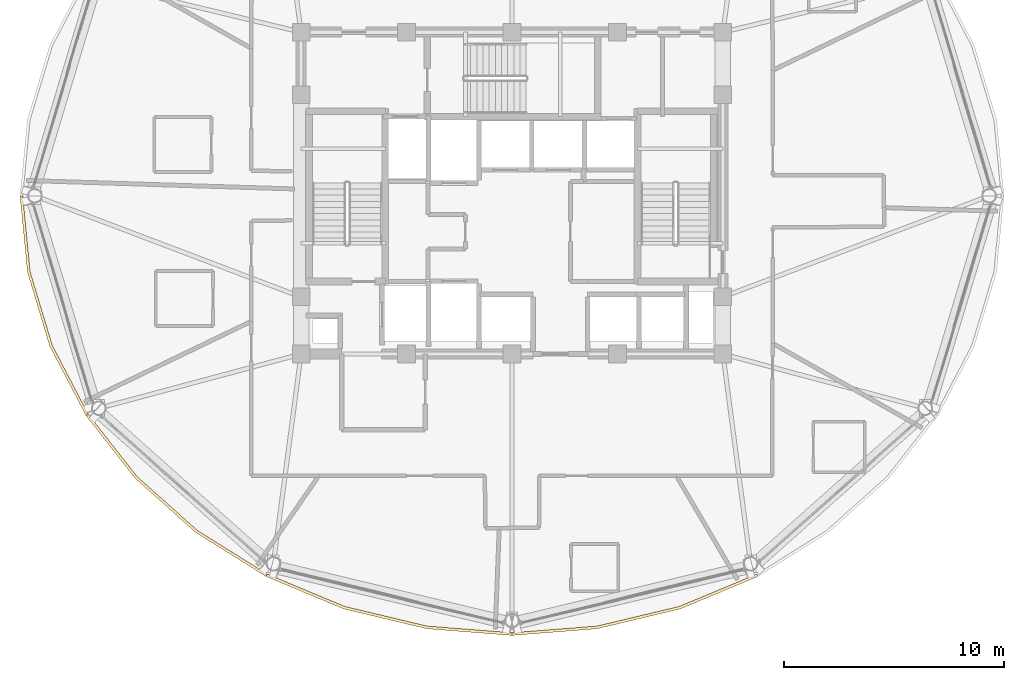
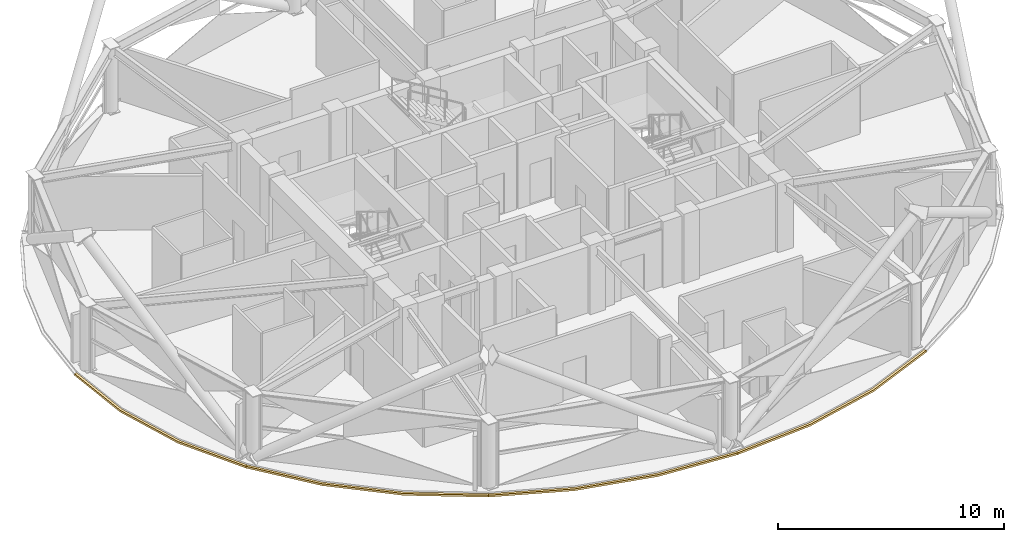
# One storey, part 26 of 29: 4 coverings.
"""IFC4 building model written with IfcOpenShell, lengths in metres."""

from ifc_helpers import new_model, si_unit, direction, frame, origin, place, context, subcontext, project, spatial, polyline, outline, extrude, material, layer, layer_set, type_object, element, save


model = new_model("IFC4")

# Units and contexts
model_context = context("Model", 3, precision=1e-05, world=origin(), true_north=direction((0.0, 1.0)))
body_context = subcontext(model_context, "Body", "Model", "MODEL_VIEW")
ifc_project = project(units=[si_unit("LENGTHUNIT", "METRE"), si_unit("AREAUNIT", "SQUARE_METRE"), si_unit("VOLUMEUNIT", "CUBIC_METRE"), si_unit("PLANEANGLEUNIT", "RADIAN"), si_unit("MASSUNIT", "GRAM", prefix="KILO")], contexts=[model_context])

# Site, building, storey
site_placement = place(None, origin())
site = spatial("IfcSite", under=ifc_project, at=site_placement, CompositionType="ELEMENT")
building_placement = place(site_placement, origin())
building = spatial("IfcBuilding", under=site, at=building_placement, Name="Vantalir Tower", CompositionType="ELEMENT")
storey_placement = place(building_placement, frame((0.0, 0.0, 234.89990234375)))
storey = spatial("IfcBuildingStorey", under=building, at=storey_placement, Name="L59", CompositionType="ELEMENT", Elevation=234.89990234375)

# Coverings
ifc_material = material(Name="Anodised champagne aluminium sill fascia", Category="aluminium")
ifc_layer = layer(ifc_material, 0.125)
ifc_layer_set = layer_set([ifc_layer], Name="Anodised champagne aluminium sill fascia")
covering_type = type_object("IfcCoveringType", Name="COV-SLAB-FASCIA-125", PredefinedType="CLADDING", material=ifc_layer_set)
covering_1_placement = place(storey_placement, frame((0.0, 0.0, -0.179931640625)))
element("IfcCovering", 1, at=covering_1_placement, inside=storey, type_object=covering_type, Name="L59 Perimeter Slab-Edge Sill Fascia 07", PredefinedType="CLADDING", context=body_context, shape_type="SweptSolid", body=[
    extrude(outline(polyline([(9.10693359375, 25.0), (9.447021484375, 21.52587890625), (10.45703125, 18.156982421875), (12.10693359375, 14.99609375), (12.215087890625, 15.05810546875), (10.574951171875, 18.199951171875), (9.570068359375, 21.547119140625), (9.23193359375, 25.0), (9.10693359375, 25.0)])), origin(), (0.0, 0.0, 1.0), 0.10498046875),
])
covering_2_placement = place(storey_placement, frame((0.0, 0.0, -0.179931640625)))
element("IfcCovering", 2, at=covering_2_placement, inside=storey, type_object=covering_type, Name="L59 Perimeter Slab-Edge Sill Fascia 08", PredefinedType="CLADDING", context=body_context, shape_type="SweptSolid", body=[
    extrude(outline(polyline([(12.10693359375, 14.99609375), (14.345947265625, 12.138916015625), (17.10595703125, 9.673095703125), (20.302978515625, 7.673095703125), (20.365966796875, 7.781005859375), (17.18603515625, 9.76904296875), (14.44189453125, 12.218994140625), (12.215087890625, 15.05810546875), (12.10693359375, 14.99609375)])), origin(), (0.0, 0.0, 1.0), 0.10498046875),
])
covering_3_placement = place(storey_placement, frame((0.0, 0.0, -0.179931640625)))
element("IfcCovering", 3, at=covering_3_placement, inside=storey, type_object=covering_type, Name="L59 Perimeter Slab-Edge Sill Fascia 09", PredefinedType="CLADDING", context=body_context, shape_type="SweptSolid", body=[
    extrude(outline(polyline([(20.302978515625, 7.673095703125), (23.841064453125, 6.198974609375), (27.611083984375, 5.2958984375), (31.5, 4.991943359375), (31.5, 5.116943359375), (27.633056640625, 5.4189453125), (23.884033203125, 6.31591796875), (20.365966796875, 7.781005859375), (20.302978515625, 7.673095703125)])), origin(), (0.0, 0.0, 1.0), 0.10498046875),
])
covering_4_placement = place(storey_placement, frame((0.0, 0.0, -0.179931640625)))
element("IfcCovering", 4, at=covering_4_placement, inside=storey, type_object=covering_type, Name="L59 Perimeter Slab-Edge Sill Fascia 10", PredefinedType="CLADDING", context=body_context, shape_type="SweptSolid", body=[
    extrude(outline(polyline([(31.5, 4.991943359375), (35.388916015625, 5.2958984375), (39.158935546875, 6.198974609375), (42.697021484375, 7.673095703125), (42.634033203125, 7.781005859375), (39.115966796875, 6.31591796875), (35.366943359375, 5.4189453125), (31.5, 5.116943359375), (31.5, 4.991943359375)])), origin(), (0.0, 0.0, 1.0), 0.10498046875),
])

save(model, "model.ifc")
